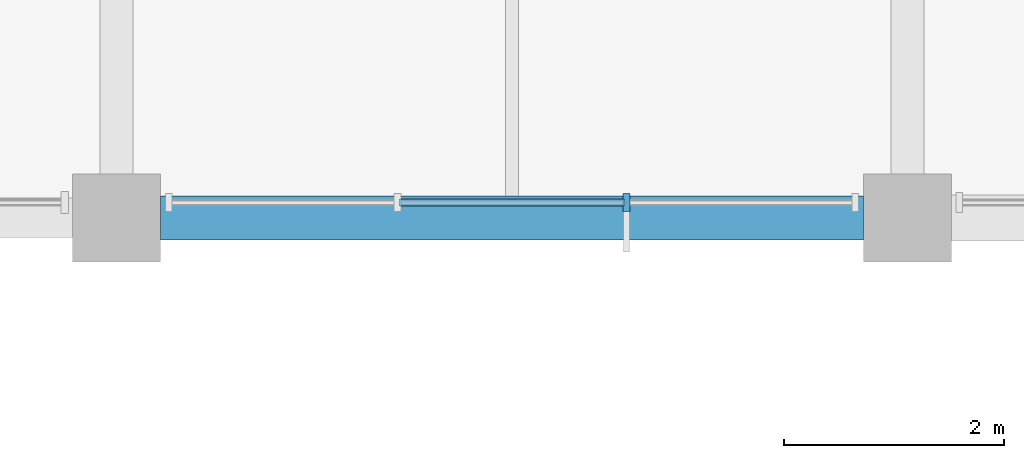
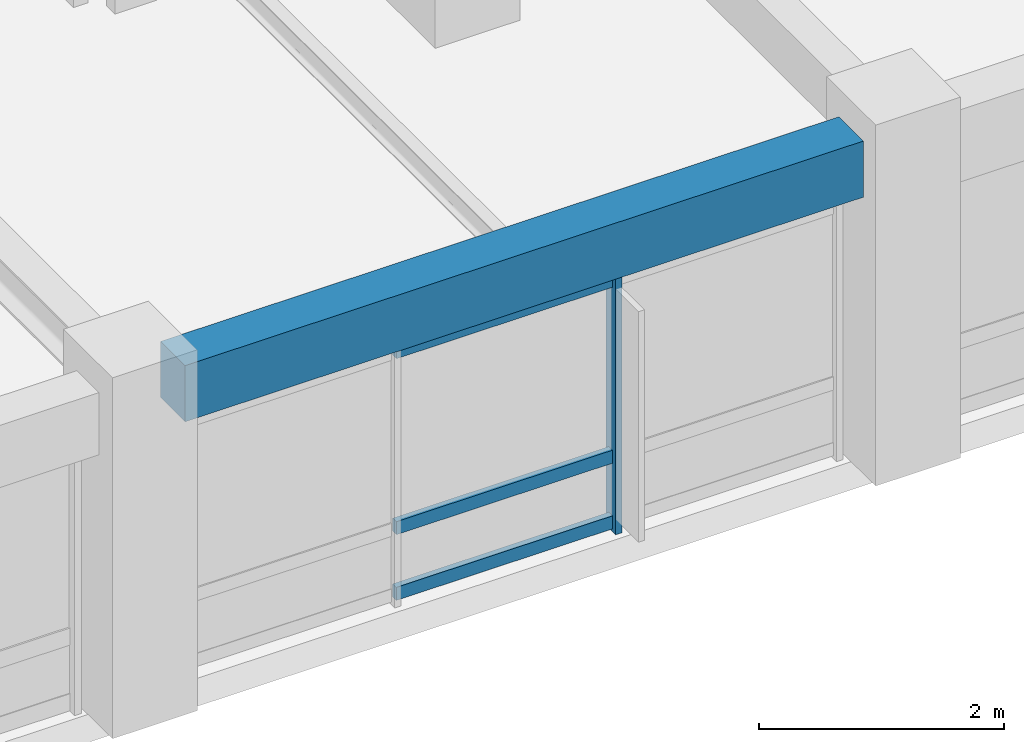
# One storey, part 31 of 74: 4 members, 1 beam, 1 element without a shape of its own.
"""IFC4 building model written with IfcOpenShell, lengths in metres."""

from ifc_helpers import new_model, si_unit, direction, frame, origin, origin_2d, place, context, subcontext, project, spatial, rectangle, extrude, material, material_profile, profile_set, type_object, element, aggregate, save


model = new_model("IFC4")

# Units and contexts
model_context = context("Model", 3, precision=1e-05, world=origin(), true_north=direction((0.0, 1.0)))
body_context = subcontext(model_context, "Body", "Model", "MODEL_VIEW")
ifc_project = project(units=[si_unit("LENGTHUNIT", "METRE"), si_unit("AREAUNIT", "SQUARE_METRE"), si_unit("VOLUMEUNIT", "CUBIC_METRE"), si_unit("PLANEANGLEUNIT", "RADIAN"), si_unit("MASSUNIT", "GRAM", prefix="KILO")], contexts=[model_context])

# Site, building, storey
site_placement = place(None, origin())
site = spatial("IfcSite", under=ifc_project, at=site_placement, CompositionType="ELEMENT")
building_placement = place(site_placement, origin())
building = spatial("IfcBuilding", under=site, at=building_placement, Name="Clarverna Civic Hall", CompositionType="ELEMENT")
storey_placement = place(building_placement, frame((0.0, 0.0, 9.60009765625)))
storey = spatial("IfcBuildingStorey", under=building, at=storey_placement, Name="L02", CompositionType="ELEMENT", Elevation=9.60009765625)

# Beam
ifc_material_1 = material(Name="Concrete C35/45", Category="concrete")
ifc_material_profile_1 = material_profile(ifc_material_1, rectangle(XDim=0.39990234375, YDim=0.56005859375, at=origin_2d()), Name="RC 400x560")
ifc_profile_set_1 = profile_set([ifc_material_profile_1], Name="Concrete C35/45")
beam_type = type_object("IfcBeamType", Name="B-SP4", PredefinedType="SPANDREL", material=ifc_profile_set_1)
beam_placement = place(storey_placement, frame((122.800048828125, 95.0, 3.039794921875), z_axis=(1.0, 0.0, 0.0), x_axis=(0.0, 1.0, 0.0)))
element("IfcBeam", 1, at=beam_placement, inside=storey, type_object=beam_type, Name="B-SP4-088", PredefinedType="SPANDREL", context=body_context, shape_type="SweptSolid", body=[
    extrude(rectangle(XDim=0.39990234375, YDim=0.56005859375, at=origin_2d()), origin(), (0.0, 0.0, 1.0), 6.39990234375),
])

# Curtain wall, members
ifc_material_2 = material(Name="Anodised Bronze Architectural Aluminium", Category="aluminium")
curtain_wall_type = type_object("IfcCurtainWallType", Name="CW-01", PredefinedType="USERDEFINED", material=ifc_material_2)
curtain_wall_placement = place(storey_placement, origin())
curtain_wall = element("IfcCurtainWall", 2, at=curtain_wall_placement, inside=storey, type_object=curtain_wall_type, Name="CW-01-052", ObjectType="UNITISED CURTAIN WALL", PredefinedType="USERDEFINED")
ifc_material_profile_2 = material_profile(ifc_material_2, rectangle(XDim=0.06005859375, YDim=0.159912109375, at=origin_2d()), Name="BRONZE 60x160")
ifc_profile_set_2 = profile_set([ifc_material_profile_2], Name="Anodised Bronze Architectural Aluminium")
member_type_1 = type_object("IfcMemberType", Name="CWM-02", PredefinedType="MULLION", material=ifc_profile_set_2)
member_1_placement = place(storey_placement, frame((127.042236328125, 95.139892578125, 0.0), z_axis=(0.0, 0.0, 1.0), x_axis=(1.0, 0.0, 0.0)))
member_1 = element("IfcMember", 3, at=member_1_placement, type_object=member_type_1, Name="CWM-02-118", PredefinedType="MULLION", context=body_context, shape_type="SweptSolid", body=[
    extrude(rectangle(XDim=0.06005859375, YDim=0.159912109375, at=origin_2d()), origin(), (0.0, 0.0, 1.0), 2.599853515625),
])
ifc_material_profile_3 = material_profile(ifc_material_2, rectangle(XDim=0.06005859375, YDim=0.1298828125, at=origin_2d()), Name="BRONZE 60x130")
ifc_profile_set_3 = profile_set([ifc_material_profile_3], Name="Anodised Bronze Architectural Aluminium")
member_type_2 = type_object("IfcMemberType", Name="CWT-02", PredefinedType="USERDEFINED", material=ifc_profile_set_3)
member_2_placement = place(storey_placement, frame((127.02734375, 95.139892578125, 0.094970703125), z_axis=(-1.0, 0.0, 0.0), x_axis=(0.0, -1.0, 0.0)))
member_2 = element("IfcMember", 4, at=member_2_placement, type_object=member_type_2, Name="CWT-02-247", ObjectType="TRANSOM", PredefinedType="USERDEFINED", context=body_context, shape_type="SweptSolid", body=[
    extrude(rectangle(XDim=0.06005859375, YDim=0.1298828125, at=origin_2d()), origin(), (0.0, 0.0, 1.0), 2.0546875),
])
member_3_placement = place(storey_placement, frame((127.02734375, 95.139892578125, 0.75), z_axis=(-1.0, 0.0, 0.0), x_axis=(0.0, -1.0, 0.0)))
member_3 = element("IfcMember", 5, at=member_3_placement, type_object=member_type_2, Name="CWT-02-248", ObjectType="TRANSOM", PredefinedType="USERDEFINED", context=body_context, shape_type="SweptSolid", body=[
    extrude(rectangle(XDim=0.06005859375, YDim=0.1298828125, at=origin_2d()), origin(), (0.0, 0.0, 1.0), 2.0546875),
])
member_4_placement = place(storey_placement, frame((127.02734375, 95.139892578125, 2.5048828125), z_axis=(-1.0, 0.0, 0.0), x_axis=(0.0, -1.0, 0.0)))
member_4 = element("IfcMember", 6, at=member_4_placement, type_object=member_type_2, Name="CWT-02-249", ObjectType="TRANSOM", PredefinedType="USERDEFINED", context=body_context, shape_type="SweptSolid", body=[
    extrude(rectangle(XDim=0.06005859375, YDim=0.1298828125, at=origin_2d()), origin(), (0.0, 0.0, 1.0), 2.0546875),
])
aggregate(curtain_wall, [member_1, member_2, member_3, member_4])

save(model, "model.ifc")
